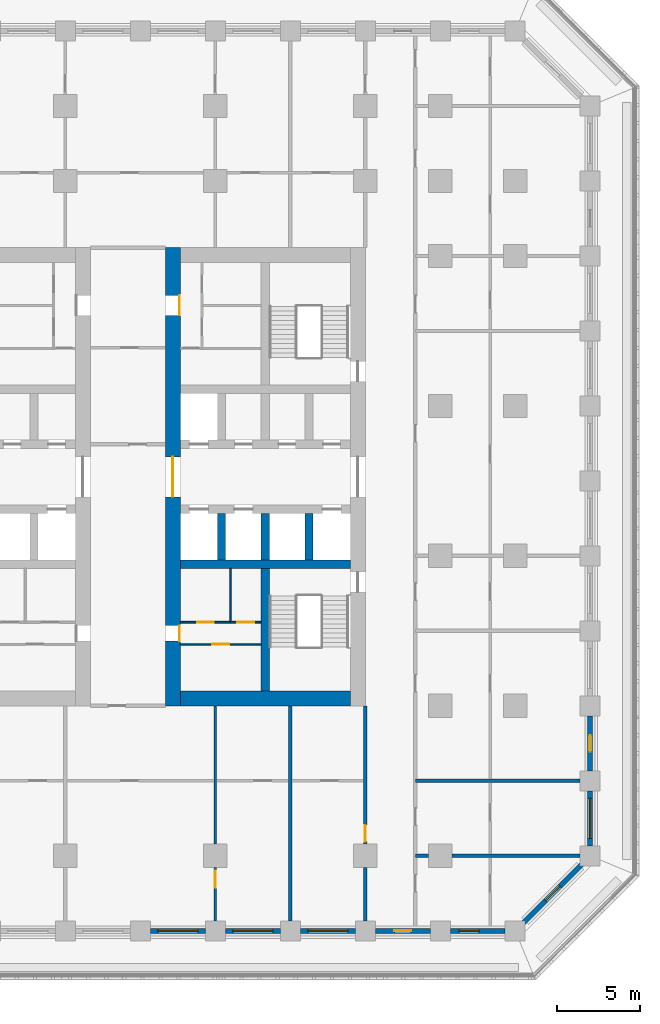
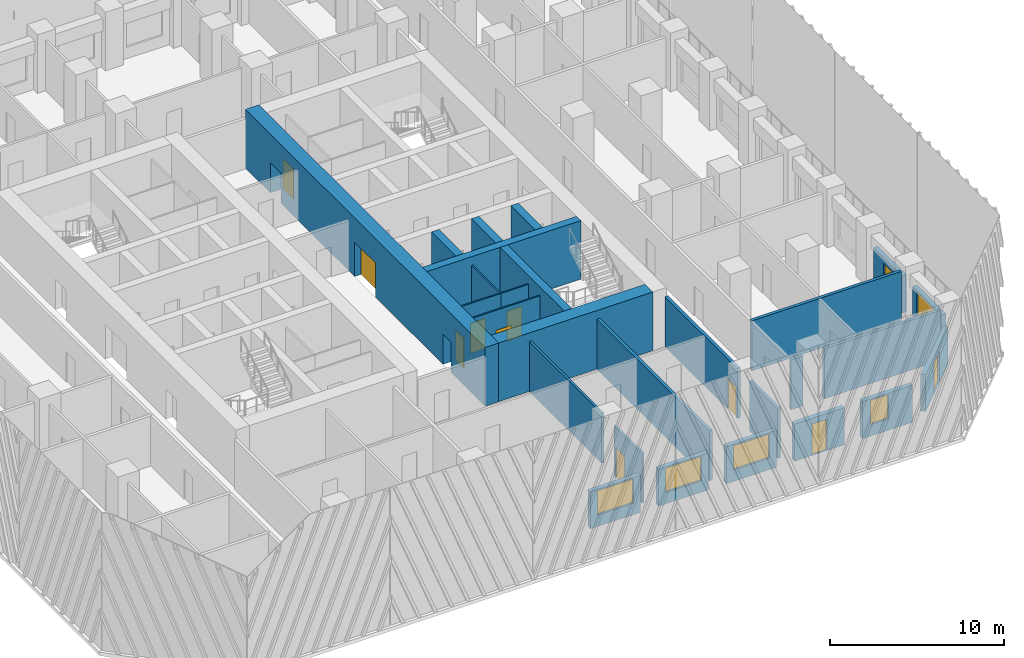
# One storey, part 5 of 20: 27 walls, 11 doors, 5 windows, 16 openings.
"""IFC4 building model written with IfcOpenShell, lengths in metres."""

from ifc_helpers import new_model, si_unit, direction, frame, frame_2d, origin, place, context, subcontext, project, spatial, rectangle, extrude, material, layer, layer_set, type_object, element, fill, save


model = new_model("IFC4")

# Units and contexts
model_context = context("Model", 3, precision=1e-05, world=origin(), true_north=direction((0.0, 1.0)))
body_context = subcontext(model_context, "Body", "Model", "MODEL_VIEW")
ifc_project = project(units=[si_unit("LENGTHUNIT", "METRE"), si_unit("AREAUNIT", "SQUARE_METRE"), si_unit("VOLUMEUNIT", "CUBIC_METRE"), si_unit("PLANEANGLEUNIT", "RADIAN"), si_unit("MASSUNIT", "GRAM", prefix="KILO")], contexts=[model_context])

# Site, building, storey
site_placement = place(None, origin())
site = spatial("IfcSite", under=ifc_project, at=site_placement, CompositionType="ELEMENT")
building_placement = place(site_placement, origin())
building = spatial("IfcBuilding", under=site, at=building_placement, Name="Corbel Stack Research Tower", CompositionType="ELEMENT")
storey_placement = place(building_placement, frame((0.0, 0.0, 106.60009765625)))
storey = spatial("IfcBuildingStorey", under=building, at=storey_placement, Name="L24", CompositionType="ELEMENT", Elevation=106.60009765625)

# Walls
ifc_material_1 = material(Name="Concrete C70/85", Category="concrete")
ifc_layer_1 = layer(ifc_material_1, 0.5)
ifc_layer_set_1 = layer_set([ifc_layer_1], Name="Concrete C70/85")
wall_type_1 = type_object("IfcWallType", Name="CW-500-70", PredefinedType="SHEAR", material=ifc_layer_set_1)
wall_1_placement = place(storey_placement, frame((6.89990234375, -0.5, 0.0), z_axis=(0.0, 0.0, 1.0), x_axis=(1.0, 0.0, 0.0)))
element("IfcWall", 1, at=wall_1_placement, inside=storey, type_object=wall_type_1, Name="East core wall, south row back L24", PredefinedType="SHEAR", context=body_context, shape_type="SweptSolid", body=[
    extrude(rectangle(XDim=10.2001953125, YDim=0.5, at=frame_2d((5.10009765625, 0.0))), origin(), (0.0, 0.0, 1.0), 4.099853515625),
])
for number, where, z_axis, x_axis, name in (
    (2, (9.375, -0.25, 0.0), (0.0, 0.0, 1.0), (0.0, 1.0, 0.0), "East core wall, south shaft 1 L24"),
    (3, (12.0, -0.25, 0.0), (0.0, 0.0, 1.0), (0.0, 1.0, 0.0), "East core wall, south shaft 2 L24"),
    (4, (14.625, -0.25, 0.0), (0.0, 0.0, 1.0), (0.0, 1.0, 0.0), "East core wall, south shaft 3 L24"),
):
    element("IfcWall", number, at=place(storey_placement, frame(where, z_axis=z_axis, x_axis=x_axis)), inside=storey, type_object=wall_type_1, Name=name, PredefinedType="SHEAR", context=body_context, shape_type="SweptSolid", body=[
        extrude(rectangle(XDim=2.800048828125, YDim=0.5, at=frame_2d((1.39990234375, 0.0))), origin(), (0.0, 0.0, 1.0), 4.099853515625),
    ])
wall_2_placement = place(storey_placement, frame((12.0, -8.10009765625, 0.0), z_axis=(0.0, 0.0, 1.0), x_axis=(0.0, 1.0, 0.0)))
element("IfcWall", 5, at=wall_2_placement, inside=storey, type_object=wall_type_1, Name="East core wall, south stair and WC L24", PredefinedType="SHEAR", context=body_context, shape_type="SweptSolid", body=[
    extrude(rectangle(XDim=7.35009765625, YDim=0.5, at=frame_2d((3.675048828125, 0.0))), origin(), (0.0, 0.0, 1.0), 4.099853515625),
])

# Wall, openings, doors
ifc_material_2 = material(Name="Concrete C70/85", Category="concrete")
ifc_layer_2 = layer(ifc_material_2, 0.89990234375)
ifc_layer_set_2 = layer_set([ifc_layer_2], Name="Concrete C70/85")
wall_type_2 = type_object("IfcWallType", Name="CW-900-70", PredefinedType="SHEAR", material=ifc_layer_set_2)
wall_3_placement = place(storey_placement, frame((6.449951171875, -9.0, 0.0), z_axis=(0.0, 0.0, 1.0), x_axis=(0.0, 1.0, 0.0)))
wall_3 = element("IfcWall", 6, at=wall_3_placement, inside=storey, type_object=wall_type_2, Name="East core wall, west face L24", PredefinedType="SHEAR", context=body_context, shape_type="SweptSolid", body=[
    extrude(rectangle(XDim=27.5, YDim=0.89990234375, at=frame_2d((13.75, 0.0))), origin(), (0.0, 0.0, 1.0), 4.099853515625),
])
opening_1_placement = place(wall_3_placement, frame((12.550048828125, 0.0, 0.0)))
opening_1 = element("IfcOpeningElement", 7, at=opening_1_placement, cuts=wall_3, Name="Opening CD-E-W", PredefinedType="OPENING", context=body_context, shape_type="SweptSolid", body=[
    extrude(rectangle(XDim=2.39990234375, YDim=2.39990234375, at=frame_2d((1.199951171875, 1.199951171875))), frame((0.0, 0.4599609375, 0.0), z_axis=(0.0, -1.0, 0.0), x_axis=(1.0, 0.0, 0.0)), (0.0, 0.0, 1.0), 0.919921875),
])
opening_2_placement = place(wall_3_placement, frame((3.89306640625, 0.0, 0.0)))
opening_2 = element("IfcOpeningElement", 8, at=opening_2_placement, cuts=wall_3, Name="Opening CR-E24-W1-923", PredefinedType="OPENING", context=body_context, shape_type="SweptSolid", body=[
    extrude(rectangle(XDim=0.923095703125, YDim=2.10009765625, at=frame_2d((0.46142578125, 1.050048828125))), frame((0.0, 0.4599609375, 0.0), z_axis=(0.0, -1.0, 0.0), x_axis=(1.0, 0.0, 0.0)), (0.0, 0.0, 1.0), 0.919921875),
])
opening_3_placement = place(wall_3_placement, frame((23.427490234375, 0.0, 0.0)))
opening_3 = element("IfcOpeningElement", 9, at=opening_3_placement, cuts=wall_3, Name="Opening CR-E24-R2-1200", PredefinedType="OPENING", context=body_context, shape_type="SweptSolid", body=[
    extrude(rectangle(XDim=1.199951171875, YDim=2.10009765625, at=frame_2d((0.60009765625, 1.050048828125))), frame((0.0, 0.4599609375, 0.0), z_axis=(0.0, -1.0, 0.0), x_axis=(1.0, 0.0, 0.0)), (0.0, 0.0, 1.0), 0.919921875),
])
ifc_material_3 = material(Name="Painted steel fire door", Category="steel")
door_type_1 = type_object("IfcDoorType", Name="Lobby door pair 2400 x 2400 FD30S", OperationType="DOUBLE_DOOR_DOUBLE_SWING", PredefinedType="DOOR", material=ifc_material_3)
door_1_placement = place(opening_1_placement, origin())
door_1 = element("IfcDoor", 10, at=door_1_placement, inside=storey, type_object=door_type_1, Name="Lift lobby door E core W", OperationType="DOUBLE_DOOR_DOUBLE_SWING", OverallHeight=2.39990234375, OverallWidth=2.39990234375, PredefinedType="DOOR", context=body_context, shape_type="SweptSolid", body=[
    extrude(rectangle(XDim=2.39990234375, YDim=2.39990234375, at=frame_2d((1.199951171875, 1.199951171875))), frame((0.0, 0.02490234375, 0.0), z_axis=(0.0, -1.0, 0.0), x_axis=(1.0, 0.0, 0.0)), (0.0, 0.0, 1.0), 0.050048828125),
])
fill(opening_1, door_1)
ifc_material_4 = material(Name="Painted steel door", Category="steel")
door_type_2 = type_object("IfcDoorType", Name="Service door 1200 x 2100 FD30 left hand", OperationType="SINGLE_SWING_LEFT", PredefinedType="DOOR", material=ifc_material_4)
door_2_placement = place(opening_3_placement, origin())
door_2 = element("IfcDoor", 11, at=door_2_placement, inside=storey, type_object=door_type_2, Name="Service passage door E core", OperationType="SINGLE_SWING_LEFT", OverallHeight=2.10009765625, OverallWidth=1.199951171875, PredefinedType="DOOR", context=body_context, shape_type="SweptSolid", body=[
    extrude(rectangle(XDim=1.199951171875, YDim=2.10009765625, at=frame_2d((0.60009765625, 1.050048828125))), frame((0.0, -0.375, 0.0), z_axis=(0.0, -1.0, 0.0), x_axis=(1.0, 0.0, 0.0)), (0.0, 0.0, 1.0), 0.050048828125),
])
fill(opening_3, door_2)
ifc_material_5 = material(Name="Painted timber door", Category="wood")
door_type_3 = type_object("IfcDoorType", Name="WC door 923 x 2100 right hand", OperationType="SINGLE_SWING_RIGHT", PredefinedType="DOOR", material=ifc_material_5)
door_3_placement = place(opening_2_placement, origin())
door_3 = element("IfcDoor", 12, at=door_3_placement, inside=storey, type_object=door_type_3, Name="WC lobby door E core", OperationType="SINGLE_SWING_RIGHT", OverallHeight=2.10009765625, OverallWidth=0.923095703125, PredefinedType="DOOR", context=body_context, shape_type="SweptSolid", body=[
    extrude(rectangle(XDim=0.923095703125, YDim=2.10009765625, at=frame_2d((0.46142578125, 1.050048828125))), frame((0.0, -0.375, 0.0), z_axis=(0.0, -1.0, 0.0), x_axis=(1.0, 0.0, 0.0)), (0.0, 0.0, 1.0), 0.050048828125),
])
fill(opening_2, door_3)

# Wall
wall_4_placement = place(storey_placement, frame((6.89990234375, -8.550048828125, 0.0), z_axis=(0.0, 0.0, 1.0), x_axis=(1.0, 0.0, 0.0)))
element("IfcWall", 13, at=wall_4_placement, inside=storey, type_object=wall_type_2, Name="East core wall, south end L24", PredefinedType="SHEAR", context=body_context, shape_type="SweptSolid", body=[
    extrude(rectangle(XDim=10.2001953125, YDim=0.89990234375, at=frame_2d((5.10009765625, 0.0))), origin(), (0.0, 0.0, 1.0), 4.099853515625),
])

# Wall, opening, door
ifc_material_6 = material(Name="Gypsum board")
ifc_layer_3 = layer(ifc_material_6, 0.10009765625)
ifc_layer_set_3 = layer_set([ifc_layer_3], Name="Gypsum board")
wall_type_3 = type_object("IfcWallType", Name="Core partition 100", PredefinedType="PARTITIONING", material=ifc_layer_set_3)
wall_5_placement = place(storey_placement, frame((6.89990234375, -5.306884765625, 0.0), z_axis=(0.0, 0.0, 1.0), x_axis=(1.0, 0.0, 0.0)))
wall_5 = element("IfcWall", 14, at=wall_5_placement, inside=storey, type_object=wall_type_3, Name="Core partition E", PredefinedType="PARTITIONING", context=body_context, shape_type="SweptSolid", body=[
    extrude(rectangle(XDim=4.85009765625, YDim=0.10009765625, at=frame_2d((2.425048828125, 0.0))), origin(), (0.0, 0.0, 1.0), 3.5),
])
opening_4_placement = place(wall_5_placement, frame((1.925048828125, 0.0, 0.0)))
opening_4 = element("IfcOpeningElement", 15, at=opening_4_placement, cuts=wall_5, Name="Opening CR-E24-W2-1000", PredefinedType="OPENING", context=body_context, shape_type="SweptSolid", body=[
    extrude(rectangle(XDim=1.0, YDim=2.10009765625, at=frame_2d((0.5, 1.050048828125))), frame((0.0, 0.06005859375, 0.0), z_axis=(0.0, -1.0, 0.0), x_axis=(1.0, 0.0, 0.0)), (0.0, 0.0, 1.0), 0.1201171875),
])
ifc_material_7 = material(Name="Painted timber door", Category="wood")
door_type_4 = type_object("IfcDoorType", Name="WC door 1000 x 2100 left hand", OperationType="SINGLE_SWING_LEFT", PredefinedType="DOOR", material=ifc_material_7)
door_4_placement = place(opening_4_placement, origin())
door_4 = element("IfcDoor", 16, at=door_4_placement, inside=storey, type_object=door_type_4, Name="Men's WC door E core", OperationType="SINGLE_SWING_LEFT", OverallHeight=2.10009765625, OverallWidth=1.0, PredefinedType="DOOR", context=body_context, shape_type="SweptSolid", body=[
    extrude(rectangle(XDim=1.0, YDim=2.10009765625, at=frame_2d((0.5, 1.050048828125))), frame((0.0, 0.02490234375, 0.0), z_axis=(0.0, -1.0, 0.0), x_axis=(1.0, 0.0, 0.0)), (0.0, 0.0, 1.0), 0.050048828125),
])
fill(opening_4, door_4)

wall_6_placement = place(storey_placement, frame((6.89990234375, -3.98388671875, 0.0), z_axis=(0.0, 0.0, 1.0), x_axis=(1.0, 0.0, 0.0)))
wall_6 = element("IfcWall", 17, at=wall_6_placement, inside=storey, type_object=wall_type_3, Name="Core partition E", PredefinedType="PARTITIONING", context=body_context, shape_type="SweptSolid", body=[
    extrude(rectangle(XDim=3.007080078125, YDim=0.10009765625, at=frame_2d((1.50341796875, 0.0))), origin(), (0.0, 0.0, 1.0), 3.5),
])
opening_5_placement = place(wall_6_placement, frame((1.00341796875, 0.0, 0.0)))
opening_5 = element("IfcOpeningElement", 18, at=opening_5_placement, cuts=wall_6, Name="Opening CR-E24-W3-1000", PredefinedType="OPENING", context=body_context, shape_type="SweptSolid", body=[
    extrude(rectangle(XDim=1.0, YDim=2.10009765625, at=frame_2d((0.5, 1.050048828125))), frame((0.0, 0.06005859375, 0.0), z_axis=(0.0, -1.0, 0.0), x_axis=(1.0, 0.0, 0.0)), (0.0, 0.0, 1.0), 0.1201171875),
])
ifc_material_8 = material(Name="Painted timber door", Category="wood")
door_type_5 = type_object("IfcDoorType", Name="WC door 1000 x 2100 right hand", OperationType="SINGLE_SWING_RIGHT", PredefinedType="DOOR", material=ifc_material_8)
door_5_placement = place(opening_5_placement, origin())
door_5 = element("IfcDoor", 19, at=door_5_placement, inside=storey, type_object=door_type_5, Name="Women's WC door E core", OperationType="SINGLE_SWING_RIGHT", OverallHeight=2.10009765625, OverallWidth=1.0, PredefinedType="DOOR", context=body_context, shape_type="SweptSolid", body=[
    extrude(rectangle(XDim=1.0, YDim=2.10009765625, at=frame_2d((0.5, 1.050048828125))), frame((0.0, 0.02490234375, 0.0), z_axis=(0.0, -1.0, 0.0), x_axis=(1.0, 0.0, 0.0)), (0.0, 0.0, 1.0), 0.050048828125),
])
fill(opening_5, door_5)

wall_7_placement = place(storey_placement, frame((9.906982421875, -3.98388671875, 0.0), z_axis=(0.0, 0.0, 1.0), x_axis=(1.0, 0.0, 0.0)))
wall_7 = element("IfcWall", 20, at=wall_7_placement, inside=storey, type_object=wall_type_3, Name="Core partition E", PredefinedType="PARTITIONING", context=body_context, shape_type="SweptSolid", body=[
    extrude(rectangle(XDim=1.843017578125, YDim=0.10009765625, at=frame_2d((0.92138671875, 0.0))), origin(), (0.0, 0.0, 1.0), 3.5),
])
opening_6_placement = place(wall_7_placement, frame((0.42138671875, 0.0, 0.0)))
opening_6 = element("IfcOpeningElement", 21, at=opening_6_placement, cuts=wall_7, Name="Opening CR-E24-W4-1000", PredefinedType="OPENING", context=body_context, shape_type="SweptSolid", body=[
    extrude(rectangle(XDim=1.0, YDim=2.10009765625, at=frame_2d((0.5, 1.050048828125))), frame((0.0, 0.06005859375, 0.0), z_axis=(0.0, -1.0, 0.0), x_axis=(1.0, 0.0, 0.0)), (0.0, 0.0, 1.0), 0.1201171875),
])
door_6_placement = place(opening_6_placement, origin())
door_6 = element("IfcDoor", 22, at=door_6_placement, inside=storey, type_object=door_type_4, Name="Accessible WC door E core", OperationType="SINGLE_SWING_LEFT", OverallHeight=2.10009765625, OverallWidth=1.0, PredefinedType="DOOR", context=body_context, shape_type="SweptSolid", body=[
    extrude(rectangle(XDim=1.0, YDim=2.10009765625, at=frame_2d((0.5, 1.050048828125))), frame((0.0, 0.02490234375, 0.0), z_axis=(0.0, -1.0, 0.0), x_axis=(1.0, 0.0, 0.0)), (0.0, 0.0, 1.0), 0.050048828125),
])
fill(opening_6, door_6)

# Wall
wall_8_placement = place(storey_placement, frame((9.906982421875, -3.98388671875, 0.0), z_axis=(0.0, 0.0, 1.0), x_axis=(0.0, 1.0, 0.0)))
element("IfcWall", 23, at=wall_8_placement, inside=storey, type_object=wall_type_3, Name="Core partition E", PredefinedType="PARTITIONING", context=body_context, shape_type="SweptSolid", body=[
    extrude(rectangle(XDim=3.23388671875, YDim=0.10009765625, at=frame_2d((1.616943359375, 0.0))), origin(), (0.0, 0.0, 1.0), 3.5),
])

# Wall, opening, door
ifc_material_9 = material(Name="Fire-rated gypsum board partition on steel studs", Category="steel")
ifc_layer_4 = layer(ifc_material_9, 0.14990234375)
ifc_layer_set_4 = layer_set([ifc_layer_4], Name="Fire-rated gypsum board partition on steel studs")
wall_type_4 = type_object("IfcWallType", Name="Fire-rated partition 150 EI 60", PredefinedType="PARTITIONING", material=ifc_layer_set_4)
wall_9_placement = place(storey_placement, frame((9.0, -18.699951171875, 0.0), z_axis=(0.0, 0.0, 1.0), x_axis=(0.0, -1.0, 0.0)))
wall_9 = element("IfcWall", 24, at=wall_9_placement, inside=storey, type_object=wall_type_4, Name="Partition L24-017", PredefinedType="PARTITIONING", context=body_context, shape_type="SweptSolid", body=[
    extrude(rectangle(XDim=3.199951171875, YDim=0.14990234375, at=frame_2d((1.60009765625, 0.0))), origin(), (0.0, 0.0, 1.0), 3.5),
])
opening_7_placement = place(wall_9_placement, frame((0.199951171875, 0.0, 0.0)))
opening_7 = element("IfcOpeningElement", 25, at=opening_7_placement, cuts=wall_9, Name="Opening B3V2-029", PredefinedType="OPENING", context=body_context, shape_type="SweptSolid", body=[
    extrude(rectangle(XDim=1.0, YDim=2.10009765625, at=frame_2d((0.5, 1.050048828125))), frame((0.0, 0.0849609375, 0.0), z_axis=(0.0, -1.0, 0.0), x_axis=(1.0, 0.0, 0.0)), (0.0, 0.0, 1.0), 0.169921875),
])
ifc_material_10 = material(Name="Painted steel fire door", Category="steel")
door_type_6 = type_object("IfcDoorType", Name="Fire door FD30S 1000 x 2100", OperationType="NOTDEFINED", PredefinedType="DOOR", material=ifc_material_10)
door_7_placement = place(opening_7_placement, origin())
door_7 = element("IfcDoor", 26, at=door_7_placement, inside=storey, type_object=door_type_6, Name="Door B3V2-029", OperationType="SINGLE_SWING_LEFT", OverallHeight=2.10009765625, OverallWidth=1.0, PredefinedType="DOOR", context=body_context, shape_type="SweptSolid", body=[
    extrude(rectangle(XDim=1.0, YDim=2.10009765625, at=frame_2d((0.5, 1.050048828125))), frame((0.0, 0.02490234375, 0.0), z_axis=(0.0, -1.0, 0.0), x_axis=(1.0, 0.0, 0.0)), (0.0, 0.0, 1.0), 0.050048828125),
])
fill(opening_7, door_7)

# Walls
ifc_material_11 = material(Name="Fire-rated gypsum board partition on steel studs", Category="steel")
ifc_layer_5 = layer(ifc_material_11, 0.199951171875)
ifc_layer_set_5 = layer_set([ifc_layer_5], Name="Fire-rated gypsum board partition on steel studs")
wall_type_5 = type_object("IfcWallType", Name="Fire-rated partition 200 EI 60", PredefinedType="PARTITIONING", material=ifc_layer_set_5)
wall_10_placement = place(storey_placement, frame((13.5, -21.89990234375, 0.0), z_axis=(0.0, 0.0, 1.0), x_axis=(0.0, 1.0, 0.0)))
element("IfcWall", 27, at=wall_10_placement, inside=storey, type_object=wall_type_5, Name="Partition L24-022", PredefinedType="PARTITIONING", context=body_context, shape_type="SweptSolid", body=[
    extrude(rectangle(XDim=12.89990234375, YDim=0.199951171875, at=frame_2d((6.449951171875, 0.0))), origin(), (0.0, 0.0, 1.0), 3.5),
])
wall_11_placement = place(storey_placement, frame((18.0, -21.89990234375, 0.0), z_axis=(0.0, 0.0, 1.0), x_axis=(0.0, 1.0, 0.0)))
element("IfcWall", 28, at=wall_11_placement, inside=storey, type_object=wall_type_5, Name="Partition L24-024", PredefinedType="PARTITIONING", context=body_context, shape_type="SweptSolid", body=[
    extrude(rectangle(XDim=3.199951171875, YDim=0.199951171875, at=frame_2d((1.60009765625, 0.0))), origin(), (0.0, 0.0, 1.0), 3.5),
])

# Wall, opening, door
wall_12_placement = place(storey_placement, frame((18.0, -17.300048828125, 0.0), z_axis=(0.0, 0.0, 1.0), x_axis=(0.0, 1.0, 0.0)))
wall_12 = element("IfcWall", 29, at=wall_12_placement, inside=storey, type_object=wall_type_5, Name="Partition L24-025", PredefinedType="PARTITIONING", context=body_context, shape_type="SweptSolid", body=[
    extrude(rectangle(XDim=8.300048828125, YDim=0.199951171875, at=frame_2d((4.14990234375, 0.0))), origin(), (0.0, 0.0, 1.0), 3.5),
])
opening_8_placement = place(wall_12_placement, frame((0.14990234375, 0.0, 0.0)))
opening_8 = element("IfcOpeningElement", 30, at=opening_8_placement, cuts=wall_12, Name="Opening B3V2-032", PredefinedType="OPENING", context=body_context, shape_type="SweptSolid", body=[
    extrude(rectangle(XDim=1.0, YDim=2.10009765625, at=frame_2d((0.5, 1.050048828125))), frame((0.0, 0.10986328125, 0.0), z_axis=(0.0, -1.0, 0.0), x_axis=(1.0, 0.0, 0.0)), (0.0, 0.0, 1.0), 0.219970703125),
])
door_8_placement = place(opening_8_placement, origin())
door_8 = element("IfcDoor", 31, at=door_8_placement, inside=storey, type_object=door_type_6, Name="Door B3V2-032", OperationType="SINGLE_SWING_LEFT", OverallHeight=2.10009765625, OverallWidth=1.0, PredefinedType="DOOR", context=body_context, shape_type="SweptSolid", body=[
    extrude(rectangle(XDim=1.0, YDim=2.10009765625, at=frame_2d((0.5, 1.050048828125))), frame((0.0, 0.02490234375, 0.0), z_axis=(0.0, -1.0, 0.0), x_axis=(1.0, 0.0, 0.0)), (0.0, 0.0, 1.0), 0.050048828125),
])
fill(opening_8, door_8)

# Walls
wall_13_placement = place(storey_placement, frame((21.0, -18.0, 0.0), z_axis=(0.0, 0.0, 1.0), x_axis=(1.0, 0.0, 0.0)))
element("IfcWall", 32, at=wall_13_placement, inside=storey, type_object=wall_type_5, Name="Partition L24-032", PredefinedType="PARTITIONING", context=body_context, shape_type="SweptSolid", body=[
    extrude(rectangle(XDim=0.800048828125, YDim=0.199951171875, at=frame_2d((0.39990234375, 0.0))), origin(), (0.0, 0.0, 1.0), 3.5),
])
wall_14_placement = place(storey_placement, frame((23.199951171875, -18.0, 0.0), z_axis=(0.0, 0.0, 1.0), x_axis=(1.0, 0.0, 0.0)))
element("IfcWall", 33, at=wall_14_placement, inside=storey, type_object=wall_type_5, Name="Partition L24-033", PredefinedType="PARTITIONING", context=body_context, shape_type="SweptSolid", body=[
    extrude(rectangle(XDim=7.699951171875, YDim=0.199951171875, at=frame_2d((3.85009765625, 0.0))), origin(), (0.0, 0.0, 1.0), 3.5),
])
wall_15_placement = place(storey_placement, frame((21.0, -13.5, 0.0), z_axis=(0.0, 0.0, 1.0), x_axis=(1.0, 0.0, 0.0)))
element("IfcWall", 34, at=wall_15_placement, inside=storey, type_object=wall_type_5, Name="Partition L24-036", PredefinedType="PARTITIONING", context=body_context, shape_type="SweptSolid", body=[
    extrude(rectangle(XDim=9.89990234375, YDim=0.199951171875, at=frame_2d((4.949951171875, 0.0))), origin(), (0.0, 0.0, 1.0), 3.5),
])
ifc_material_12 = material(Name="Gypsum board partition on steel studs", Category="steel")
ifc_layer_6 = layer(ifc_material_12, 0.14990234375)
ifc_layer_set_6 = layer_set([ifc_layer_6], Name="Gypsum board partition on steel studs")
wall_type_6 = type_object("IfcWallType", Name="Partition 150", PredefinedType="PARTITIONING", material=ifc_layer_set_6)
wall_16_placement = place(storey_placement, frame((9.0, -17.300048828125, 0.0), z_axis=(0.0, 0.0, 1.0), x_axis=(0.0, 1.0, 0.0)))
element("IfcWall", 35, at=wall_16_placement, inside=storey, type_object=wall_type_6, Name="Partition L24-018", PredefinedType="PARTITIONING", context=body_context, shape_type="SweptSolid", body=[
    extrude(rectangle(XDim=8.300048828125, YDim=0.14990234375, at=frame_2d((4.14990234375, 0.0))), origin(), (0.0, 0.0, 1.0), 3.5),
])

# Wall, opening, window
ifc_material_13 = material(Name="Concrete C45/55", Category="concrete")
ifc_layer_7 = layer(ifc_material_13, 0.300048828125)
ifc_layer_set_7 = layer_set([ifc_layer_7], Name="Concrete C45/55")
wall_type_7 = type_object("IfcWallType", Name="Terracotta-faced concrete wall 300", PredefinedType="SOLIDWALL", material=ifc_layer_set_7)
wall_17_placement = place(storey_placement, frame((8.39990234375, -22.5, 0.0), z_axis=(0.0, 0.0, 1.0), x_axis=(-1.0, 0.0, 0.0)))
wall_17 = element("IfcWall", 36, at=wall_17_placement, inside=storey, type_object=wall_type_7, Name="Facade wall L24 S06", PredefinedType="SOLIDWALL", context=body_context, shape_type="SweptSolid", body=[
    extrude(rectangle(XDim=3.2998046875, YDim=0.300048828125, at=frame_2d((1.64990234375, 0.0))), origin(), (0.0, 0.0, 1.0), 2.599853515625),
])
opening_9_placement = place(wall_17_placement, frame((0.449951171875, 0.0, 0.800048828125)))
opening_9 = element("IfcOpeningElement", 37, at=opening_9_placement, cuts=wall_17, Name="Opening W1", PredefinedType="OPENING", context=body_context, shape_type="SweptSolid", body=[
    extrude(rectangle(XDim=2.39990234375, YDim=1.699951171875, at=frame_2d((1.199951171875, 0.85009765625))), frame((0.0, 0.159912109375, 0.0), z_axis=(0.0, -1.0, 0.0), x_axis=(1.0, 0.0, 0.0)), (0.0, 0.0, 1.0), 0.320068359375),
])
ifc_material_14 = material(Name="Aluminium frame, clear double glazing", Category="aluminium")
window_type_1 = type_object("IfcWindowType", Name="Window W1 2400 x 1700", PartitioningType="SINGLE_PANEL", PredefinedType="WINDOW", material=ifc_material_14)
window_1_placement = place(opening_9_placement, origin())
window_1 = element("IfcWindow", 38, at=window_1_placement, inside=storey, type_object=window_type_1, Name="Window W1 L24 S06", OverallHeight=1.699951171875, OverallWidth=2.39990234375, PartitioningType="SINGLE_PANEL", PredefinedType="WINDOW", context=body_context, shape_type="SweptSolid", body=[
    extrude(rectangle(XDim=2.39990234375, YDim=1.699951171875, at=frame_2d((1.199951171875, 0.85009765625))), frame((0.0, 0.030029296875, 0.0), z_axis=(0.0, -1.0, 0.0), x_axis=(1.0, 0.0, 0.0)), (0.0, 0.0, 1.0), 0.06005859375),
])
fill(opening_9, window_1)

wall_18_placement = place(storey_placement, frame((12.89990234375, -22.5, 0.0), z_axis=(0.0, 0.0, 1.0), x_axis=(-1.0, 0.0, 0.0)))
wall_18 = element("IfcWall", 39, at=wall_18_placement, inside=storey, type_object=wall_type_7, Name="Facade wall L24 S07", PredefinedType="SOLIDWALL", context=body_context, shape_type="SweptSolid", body=[
    extrude(rectangle(XDim=3.2998046875, YDim=0.300048828125, at=frame_2d((1.64990234375, 0.0))), origin(), (0.0, 0.0, 1.0), 2.599853515625),
])
opening_10_placement = place(wall_18_placement, frame((0.449951171875, 0.0, 0.800048828125)))
opening_10 = element("IfcOpeningElement", 40, at=opening_10_placement, cuts=wall_18, Name="Opening W1", PredefinedType="OPENING", context=body_context, shape_type="SweptSolid", body=[
    extrude(rectangle(XDim=2.39990234375, YDim=1.699951171875, at=frame_2d((1.199951171875, 0.85009765625))), frame((0.0, 0.159912109375, 0.0), z_axis=(0.0, -1.0, 0.0), x_axis=(1.0, 0.0, 0.0)), (0.0, 0.0, 1.0), 0.320068359375),
])
window_2_placement = place(opening_10_placement, origin())
window_2 = element("IfcWindow", 41, at=window_2_placement, inside=storey, type_object=window_type_1, Name="Window W1 L24 S07", OverallHeight=1.699951171875, OverallWidth=2.39990234375, PartitioningType="SINGLE_PANEL", PredefinedType="WINDOW", context=body_context, shape_type="SweptSolid", body=[
    extrude(rectangle(XDim=2.39990234375, YDim=1.699951171875, at=frame_2d((1.199951171875, 0.85009765625))), frame((0.0, 0.030029296875, 0.0), z_axis=(0.0, -1.0, 0.0), x_axis=(1.0, 0.0, 0.0)), (0.0, 0.0, 1.0), 0.06005859375),
])
fill(opening_10, window_2)

wall_19_placement = place(storey_placement, frame((17.39990234375, -22.5, 0.0), z_axis=(0.0, 0.0, 1.0), x_axis=(-1.0, 0.0, 0.0)))
wall_19 = element("IfcWall", 42, at=wall_19_placement, inside=storey, type_object=wall_type_7, Name="Facade wall L24 S08", PredefinedType="SOLIDWALL", context=body_context, shape_type="SweptSolid", body=[
    extrude(rectangle(XDim=3.2998046875, YDim=0.300048828125, at=frame_2d((1.64990234375, 0.0))), origin(), (0.0, 0.0, 1.0), 2.599853515625),
])
opening_11_placement = place(wall_19_placement, frame((0.449951171875, 0.0, 0.800048828125)))
opening_11 = element("IfcOpeningElement", 43, at=opening_11_placement, cuts=wall_19, Name="Opening W1", PredefinedType="OPENING", context=body_context, shape_type="SweptSolid", body=[
    extrude(rectangle(XDim=2.39990234375, YDim=1.699951171875, at=frame_2d((1.199951171875, 0.85009765625))), frame((0.0, 0.159912109375, 0.0), z_axis=(0.0, -1.0, 0.0), x_axis=(1.0, 0.0, 0.0)), (0.0, 0.0, 1.0), 0.320068359375),
])
window_3_placement = place(opening_11_placement, origin())
window_3 = element("IfcWindow", 44, at=window_3_placement, inside=storey, type_object=window_type_1, Name="Window W1 L24 S08", OverallHeight=1.699951171875, OverallWidth=2.39990234375, PartitioningType="SINGLE_PANEL", PredefinedType="WINDOW", context=body_context, shape_type="SweptSolid", body=[
    extrude(rectangle(XDim=2.39990234375, YDim=1.699951171875, at=frame_2d((1.199951171875, 0.85009765625))), frame((0.0, 0.030029296875, 0.0), z_axis=(0.0, -1.0, 0.0), x_axis=(1.0, 0.0, 0.0)), (0.0, 0.0, 1.0), 0.06005859375),
])
fill(opening_11, window_3)

# Wall, opening, door
wall_20_placement = place(storey_placement, frame((21.89990234375, -22.5, 0.0), z_axis=(0.0, 0.0, 1.0), x_axis=(-1.0, 0.0, 0.0)))
wall_20 = element("IfcWall", 45, at=wall_20_placement, inside=storey, type_object=wall_type_7, Name="Facade wall L24 S09", PredefinedType="SOLIDWALL", context=body_context, shape_type="SweptSolid", body=[
    extrude(rectangle(XDim=3.2998046875, YDim=0.300048828125, at=frame_2d((1.64990234375, 0.0))), origin(), (0.0, 0.0, 1.0), 2.599853515625),
])
opening_12_placement = place(wall_20_placement, frame((1.14990234375, 0.0, 0.0)))
opening_12 = element("IfcOpeningElement", 46, at=opening_12_placement, cuts=wall_20, Name="Opening L24-B02", PredefinedType="OPENING", context=body_context, shape_type="SweptSolid", body=[
    extrude(rectangle(XDim=1.0, YDim=2.199951171875, at=frame_2d((0.5, 1.10009765625))), frame((0.0, 0.159912109375, 0.0), z_axis=(0.0, -1.0, 0.0), x_axis=(1.0, 0.0, 0.0)), (0.0, 0.0, 1.0), 0.320068359375),
])
ifc_material_15 = material(Name="Aluminium frame, clear double glazing", Category="aluminium")
door_type_7 = type_object("IfcDoorType", Name="Balcony door BD1 1000 x 2200", OperationType="NOTDEFINED", PredefinedType="DOOR", material=ifc_material_15)
door_9_placement = place(opening_12_placement, origin())
door_9 = element("IfcDoor", 47, at=door_9_placement, inside=storey, type_object=door_type_7, Name="Balcony door L24-B02", OperationType="SINGLE_SWING_LEFT", OverallHeight=2.199951171875, OverallWidth=1.0, PredefinedType="DOOR", context=body_context, shape_type="SweptSolid", body=[
    extrude(rectangle(XDim=1.0, YDim=2.199951171875, at=frame_2d((0.5, 1.10009765625))), frame((0.0, 0.02490234375, 0.0), z_axis=(0.0, -1.0, 0.0), x_axis=(1.0, 0.0, 0.0)), (0.0, 0.0, 1.0), 0.050048828125),
])
fill(opening_12, door_9)

# Wall, opening, window
wall_21_placement = place(storey_placement, frame((26.39990234375, -22.5, 0.0), z_axis=(0.0, 0.0, 1.0), x_axis=(-1.0, 0.0, 0.0)))
wall_21 = element("IfcWall", 48, at=wall_21_placement, inside=storey, type_object=wall_type_7, Name="Facade wall L24 S10", PredefinedType="SOLIDWALL", context=body_context, shape_type="SweptSolid", body=[
    extrude(rectangle(XDim=3.2998046875, YDim=0.300048828125, at=frame_2d((1.64990234375, 0.0))), origin(), (0.0, 0.0, 1.0), 2.599853515625),
])
opening_13_placement = place(wall_21_placement, frame((1.5625, 0.0, 0.800048828125)))
opening_13 = element("IfcOpeningElement", 49, at=opening_13_placement, cuts=wall_21, Name="Opening W2", PredefinedType="OPENING", context=body_context, shape_type="SweptSolid", body=[
    extrude(rectangle(XDim=1.199951171875, YDim=1.699951171875, at=frame_2d((0.60009765625, 0.85009765625))), frame((0.0, 0.159912109375, 0.0), z_axis=(0.0, -1.0, 0.0), x_axis=(1.0, 0.0, 0.0)), (0.0, 0.0, 1.0), 0.320068359375),
])
ifc_material_16 = material(Name="Aluminium frame, clear double glazing", Category="aluminium")
window_type_2 = type_object("IfcWindowType", Name="Window W2 1200 x 1700", PartitioningType="SINGLE_PANEL", PredefinedType="WINDOW", material=ifc_material_16)
window_4_placement = place(opening_13_placement, origin())
window_4 = element("IfcWindow", 50, at=window_4_placement, inside=storey, type_object=window_type_2, Name="Window W2 L24 S10", OverallHeight=1.699951171875, OverallWidth=1.199951171875, PartitioningType="SINGLE_PANEL", PredefinedType="WINDOW", context=body_context, shape_type="SweptSolid", body=[
    extrude(rectangle(XDim=1.199951171875, YDim=1.699951171875, at=frame_2d((0.60009765625, 0.85009765625))), frame((0.0, 0.030029296875, 0.0), z_axis=(0.0, -1.0, 0.0), x_axis=(1.0, 0.0, 0.0)), (0.0, 0.0, 1.0), 0.06005859375),
])
fill(opening_13, window_4)

# Wall, opening, door
wall_22_placement = place(storey_placement, frame((31.006103515625, -18.493896484375, 0.0), z_axis=(0.0, 0.0, 1.0), x_axis=(-0.707106781187, -0.707106781187, 0.0)))
wall_22 = element("IfcWall", 51, at=wall_22_placement, inside=storey, type_object=wall_type_7, Name="Facade wall L24 SE01", PredefinedType="SOLIDWALL", context=body_context, shape_type="SweptSolid", body=[
    extrude(rectangle(XDim=4.967041015625, YDim=0.300048828125, at=frame_2d((2.4833984375, 0.0))), origin(), (0.0, 0.0, 1.0), 2.599853515625),
])
opening_14_placement = place(wall_22_placement, frame((1.883544921875, 0.0, 0.0)))
opening_14 = element("IfcOpeningElement", 52, at=opening_14_placement, cuts=wall_22, Name="Opening L24-B03", PredefinedType="OPENING", context=body_context, shape_type="SweptSolid", body=[
    extrude(rectangle(XDim=1.199951171875, YDim=2.199951171875, at=frame_2d((0.60009765625, 1.10009765625))), frame((0.0, 0.159912109375, 0.0), z_axis=(0.0, -1.0, 0.0), x_axis=(1.0, 0.0, 0.0)), (0.0, 0.0, 1.0), 0.320068359375),
])
ifc_material_17 = material(Name="Aluminium frame, clear double glazing", Category="aluminium")
door_type_8 = type_object("IfcDoorType", Name="Balcony door BD2 1200 x 2200", OperationType="NOTDEFINED", PredefinedType="DOOR", material=ifc_material_17)
door_10_placement = place(opening_14_placement, origin())
door_10 = element("IfcDoor", 53, at=door_10_placement, inside=storey, type_object=door_type_8, Name="Balcony door L24-B03", OperationType="SINGLE_SWING_LEFT", OverallHeight=2.199951171875, OverallWidth=1.199951171875, PredefinedType="DOOR", context=body_context, shape_type="SweptSolid", body=[
    extrude(rectangle(XDim=1.199951171875, YDim=2.199951171875, at=frame_2d((0.60009765625, 1.10009765625))), frame((0.0, 0.02490234375, 0.0), z_axis=(0.0, -1.0, 0.0), x_axis=(1.0, 0.0, 0.0)), (0.0, 0.0, 1.0), 0.050048828125),
])
fill(opening_14, door_10)

# Wall, opening, window
wall_23_placement = place(storey_placement, frame((31.5, -14.10009765625, 0.0), z_axis=(0.0, 0.0, 1.0), x_axis=(0.0, -1.0, 0.0)))
wall_23 = element("IfcWall", 54, at=wall_23_placement, inside=storey, type_object=wall_type_7, Name="Facade wall L24 E01", PredefinedType="SOLIDWALL", context=body_context, shape_type="SweptSolid", body=[
    extrude(rectangle(XDim=3.2998046875, YDim=0.300048828125, at=frame_2d((1.64990234375, 0.0))), origin(), (0.0, 0.0, 1.0), 2.599853515625),
])
opening_15_placement = place(wall_23_placement, frame((0.449951171875, 0.0, 0.800048828125)))
opening_15 = element("IfcOpeningElement", 55, at=opening_15_placement, cuts=wall_23, Name="Opening W1", PredefinedType="OPENING", context=body_context, shape_type="SweptSolid", body=[
    extrude(rectangle(XDim=2.39990234375, YDim=1.699951171875, at=frame_2d((1.199951171875, 0.85009765625))), frame((0.0, 0.159912109375, 0.0), z_axis=(0.0, -1.0, 0.0), x_axis=(1.0, 0.0, 0.0)), (0.0, 0.0, 1.0), 0.320068359375),
])
window_5_placement = place(opening_15_placement, origin())
window_5 = element("IfcWindow", 56, at=window_5_placement, inside=storey, type_object=window_type_1, Name="Window W1 L24 E01", OverallHeight=1.699951171875, OverallWidth=2.39990234375, PartitioningType="SINGLE_PANEL", PredefinedType="WINDOW", context=body_context, shape_type="SweptSolid", body=[
    extrude(rectangle(XDim=2.39990234375, YDim=1.699951171875, at=frame_2d((1.199951171875, 0.85009765625))), frame((0.0, 0.030029296875, 0.0), z_axis=(0.0, -1.0, 0.0), x_axis=(1.0, 0.0, 0.0)), (0.0, 0.0, 1.0), 0.06005859375),
])
fill(opening_15, window_5)

# Wall, opening, door
wall_24_placement = place(storey_placement, frame((31.5, -9.60009765625, 0.0), z_axis=(0.0, 0.0, 1.0), x_axis=(0.0, -1.0, 0.0)))
wall_24 = element("IfcWall", 57, at=wall_24_placement, inside=storey, type_object=wall_type_7, Name="Facade wall L24 E02", PredefinedType="SOLIDWALL", context=body_context, shape_type="SweptSolid", body=[
    extrude(rectangle(XDim=3.2998046875, YDim=0.300048828125, at=frame_2d((1.64990234375, 0.0))), origin(), (0.0, 0.0, 1.0), 2.599853515625),
])
opening_16_placement = place(wall_24_placement, frame((1.14990234375, 0.0, 0.0)))
opening_16 = element("IfcOpeningElement", 58, at=opening_16_placement, cuts=wall_24, Name="Opening L24-B04", PredefinedType="OPENING", context=body_context, shape_type="SweptSolid", body=[
    extrude(rectangle(XDim=1.0, YDim=2.199951171875, at=frame_2d((0.5, 1.10009765625))), frame((0.0, 0.159912109375, 0.0), z_axis=(0.0, -1.0, 0.0), x_axis=(1.0, 0.0, 0.0)), (0.0, 0.0, 1.0), 0.320068359375),
])
door_11_placement = place(opening_16_placement, origin())
door_11 = element("IfcDoor", 59, at=door_11_placement, inside=storey, type_object=door_type_7, Name="Balcony door L24-B04", OperationType="SINGLE_SWING_RIGHT", OverallHeight=2.199951171875, OverallWidth=1.0, PredefinedType="DOOR", context=body_context, shape_type="SweptSolid", body=[
    extrude(rectangle(XDim=1.0, YDim=2.199951171875, at=frame_2d((0.5, 1.10009765625))), frame((0.0, 0.02490234375, 0.0), z_axis=(0.0, -1.0, 0.0), x_axis=(1.0, 0.0, 0.0)), (0.0, 0.0, 1.0), 0.050048828125),
])
fill(opening_16, door_11)

save(model, "model.ifc")
